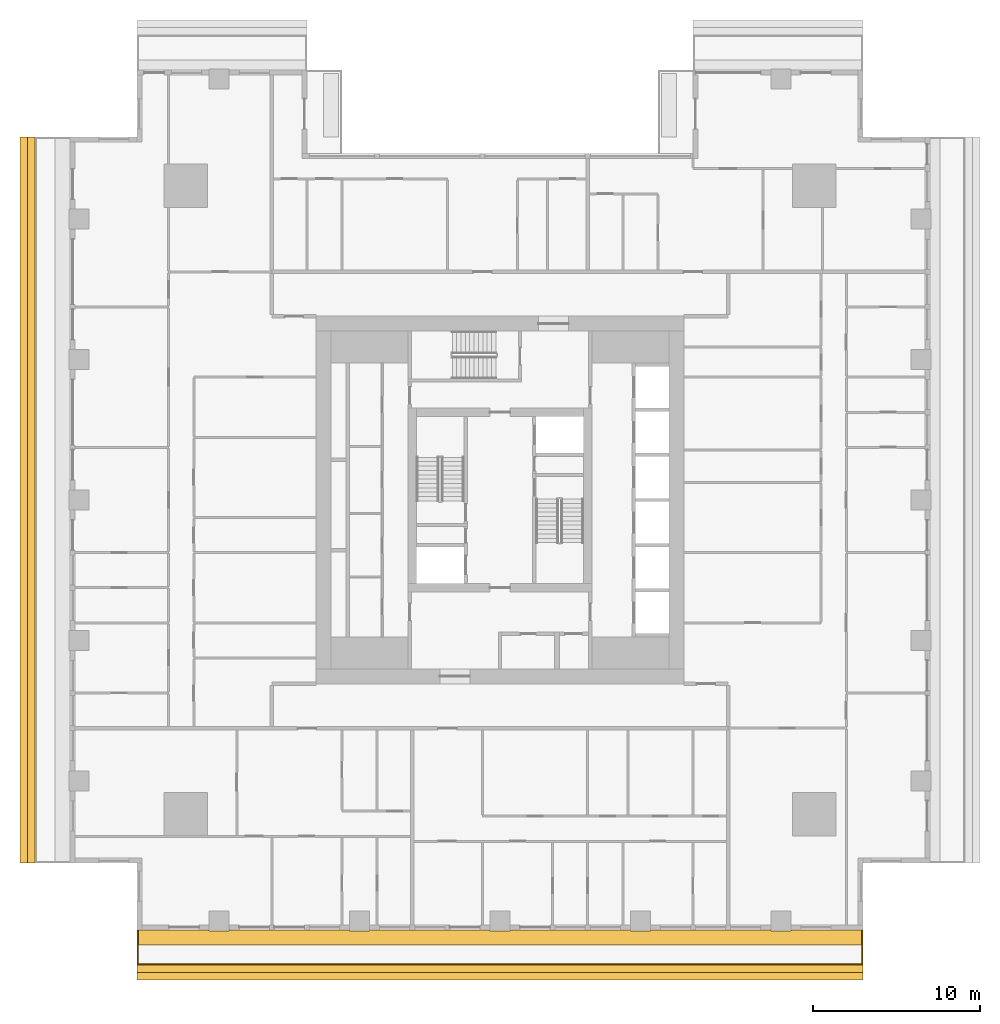
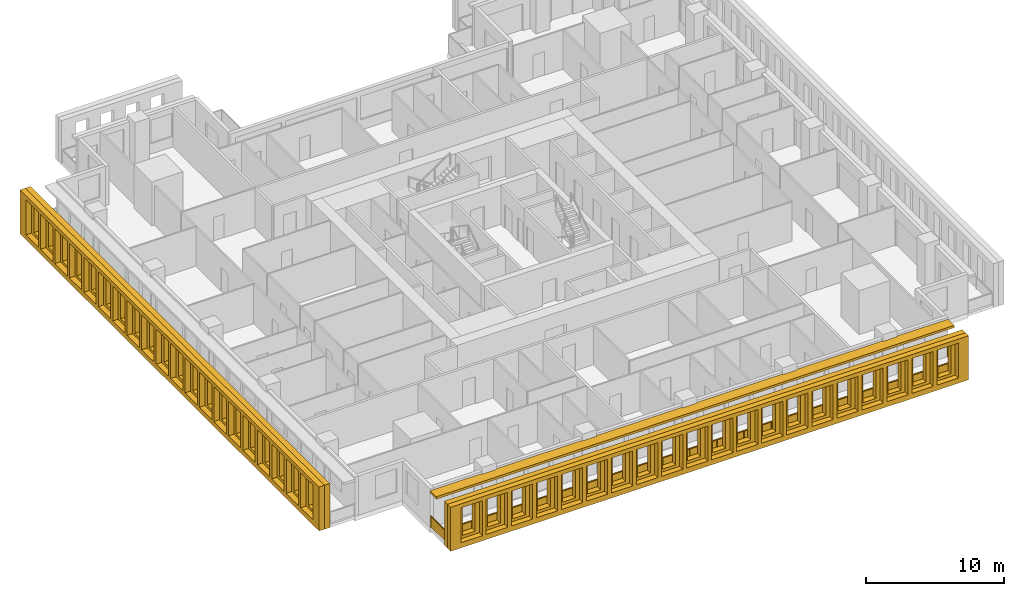
# One storey, part 10 of 15: 5 shading devices, 1 railing.
"""IFC4 building model written with IfcOpenShell, lengths in metres."""

from ifc_helpers import new_model, si_unit, direction, frame, origin, origin_2d, place, context, subcontext, project, spatial, polyline, rectangle, outline, extrude, material, layer, layer_set, type_object, element, save


model = new_model("IFC4")

# Units and contexts
model_context = context("Model", 3, precision=1e-05, world=origin(), true_north=direction((0.0, 1.0)))
body_context = subcontext(model_context, "Body", "Model", "MODEL_VIEW")
ifc_project = project(units=[si_unit("LENGTHUNIT", "METRE"), si_unit("AREAUNIT", "SQUARE_METRE"), si_unit("VOLUMEUNIT", "CUBIC_METRE"), si_unit("PLANEANGLEUNIT", "RADIAN"), si_unit("MASSUNIT", "GRAM", prefix="KILO")], contexts=[model_context])

# Site, building, storey
site_placement = place(None, origin())
site = spatial("IfcSite", under=ifc_project, at=site_placement, CompositionType="ELEMENT")
building_placement = place(site_placement, origin())
building = spatial("IfcBuilding", under=site, at=building_placement, Name="Khepri Terraces", CompositionType="ELEMENT")
storey_placement = place(building_placement, frame((0.0, 0.0, 165.0)))
storey = spatial("IfcBuildingStorey", under=building, at=storey_placement, Name="L39", CompositionType="ELEMENT", Elevation=165.0)

# Railing
ifc_material_1 = material(Name="Stainless steel grade 316", Category="steel")
railing_type = type_object("IfcRailingType", Name="GRD-BAL-1100", PredefinedType="GUARDRAIL", material=ifc_material_1)
railing_placement = place(storey_placement, frame((-21.669921875, -25.719970703125, 0.0)))
element("IfcRailing", 1, at=railing_placement, inside=storey, type_object=railing_type, Name="Balcony guard L39 S", PredefinedType="GUARDRAIL", context=body_context, shape_type="SweptSolid", body=[
    extrude(rectangle(XDim=0.050048828125, YDim=0.06005859375, at=origin_2d()), frame((0.0, 0.0, 1.070068359375), z_axis=(0.0, -1.0, 0.0), x_axis=(1.0, 0.0, 0.0)), (0.0, 0.0, 1.0), 2.050048828125),
    extrude(rectangle(XDim=2.0, YDim=0.011962890625, at=origin_2d()), frame((0.0, -1.02490234375, 0.10009765625), z_axis=(0.0, 0.0, 1.0), x_axis=(0.0, -1.0, 0.0)), (0.0, 0.0, 1.0), 0.93994140625),
    extrude(rectangle(XDim=0.050048828125, YDim=0.06005859375, at=origin_2d()), frame((0.0, -2.050048828125, 1.070068359375), z_axis=(1.0, 0.0, 0.0), x_axis=(0.0, 1.0, 0.0)), (0.0, 0.0, 1.0), 43.33984375),
    extrude(rectangle(XDim=2.23095703125, YDim=0.011962890625, at=origin_2d()), frame((1.140625, -2.050048828125, 0.10009765625), z_axis=(0.0, 0.0, 1.0), x_axis=(1.0, 0.0, 0.0)), (0.0, 0.0, 1.0), 0.93994140625),
    extrude(rectangle(XDim=2.23095703125, YDim=0.011962890625, at=origin_2d()), frame((3.421630859375, -2.050048828125, 0.10009765625), z_axis=(0.0, 0.0, 1.0), x_axis=(1.0, 0.0, 0.0)), (0.0, 0.0, 1.0), 0.93994140625),
    extrude(rectangle(XDim=2.23095703125, YDim=0.011962890625, at=origin_2d()), frame((5.70263671875, -2.050048828125, 0.10009765625), z_axis=(0.0, 0.0, 1.0), x_axis=(1.0, 0.0, 0.0)), (0.0, 0.0, 1.0), 0.93994140625),
    extrude(rectangle(XDim=2.23095703125, YDim=0.011962890625, at=origin_2d()), frame((7.983642578125, -2.050048828125, 0.10009765625), z_axis=(0.0, 0.0, 1.0), x_axis=(1.0, 0.0, 0.0)), (0.0, 0.0, 1.0), 0.93994140625),
    extrude(rectangle(XDim=2.23095703125, YDim=0.011962890625, at=origin_2d()), frame((10.2646484375, -2.050048828125, 0.10009765625), z_axis=(0.0, 0.0, 1.0), x_axis=(1.0, 0.0, 0.0)), (0.0, 0.0, 1.0), 0.93994140625),
    extrude(rectangle(XDim=2.23095703125, YDim=0.011962890625, at=origin_2d()), frame((12.545654296875, -2.050048828125, 0.10009765625), z_axis=(0.0, 0.0, 1.0), x_axis=(1.0, 0.0, 0.0)), (0.0, 0.0, 1.0), 0.93994140625),
    extrude(rectangle(XDim=2.23095703125, YDim=0.011962890625, at=origin_2d()), frame((14.826904296875, -2.050048828125, 0.10009765625), z_axis=(0.0, 0.0, 1.0), x_axis=(1.0, 0.0, 0.0)), (0.0, 0.0, 1.0), 0.93994140625),
    extrude(rectangle(XDim=2.23095703125, YDim=0.011962890625, at=origin_2d()), frame((17.10791015625, -2.050048828125, 0.10009765625), z_axis=(0.0, 0.0, 1.0), x_axis=(1.0, 0.0, 0.0)), (0.0, 0.0, 1.0), 0.93994140625),
    extrude(rectangle(XDim=2.23095703125, YDim=0.011962890625, at=origin_2d()), frame((19.388916015625, -2.050048828125, 0.10009765625), z_axis=(0.0, 0.0, 1.0), x_axis=(1.0, 0.0, 0.0)), (0.0, 0.0, 1.0), 0.93994140625),
    extrude(rectangle(XDim=2.23095703125, YDim=0.011962890625, at=origin_2d()), frame((21.669921875, -2.050048828125, 0.10009765625), z_axis=(0.0, 0.0, 1.0), x_axis=(1.0, 0.0, 0.0)), (0.0, 0.0, 1.0), 0.93994140625),
    extrude(rectangle(XDim=2.23095703125, YDim=0.011962890625, at=origin_2d()), frame((23.950927734375, -2.050048828125, 0.10009765625), z_axis=(0.0, 0.0, 1.0), x_axis=(1.0, 0.0, 0.0)), (0.0, 0.0, 1.0), 0.93994140625),
    extrude(rectangle(XDim=2.23095703125, YDim=0.011962890625, at=origin_2d()), frame((26.23193359375, -2.050048828125, 0.10009765625), z_axis=(0.0, 0.0, 1.0), x_axis=(1.0, 0.0, 0.0)), (0.0, 0.0, 1.0), 0.93994140625),
    extrude(rectangle(XDim=2.23095703125, YDim=0.011962890625, at=origin_2d()), frame((28.512939453125, -2.050048828125, 0.10009765625), z_axis=(0.0, 0.0, 1.0), x_axis=(1.0, 0.0, 0.0)), (0.0, 0.0, 1.0), 0.93994140625),
    extrude(rectangle(XDim=2.23095703125, YDim=0.011962890625, at=origin_2d()), frame((30.794189453125, -2.050048828125, 0.10009765625), z_axis=(0.0, 0.0, 1.0), x_axis=(1.0, 0.0, 0.0)), (0.0, 0.0, 1.0), 0.93994140625),
    extrude(rectangle(XDim=2.23095703125, YDim=0.011962890625, at=origin_2d()), frame((33.0751953125, -2.050048828125, 0.10009765625), z_axis=(0.0, 0.0, 1.0), x_axis=(1.0, 0.0, 0.0)), (0.0, 0.0, 1.0), 0.93994140625),
    extrude(rectangle(XDim=2.23095703125, YDim=0.011962890625, at=origin_2d()), frame((35.356201171875, -2.050048828125, 0.10009765625), z_axis=(0.0, 0.0, 1.0), x_axis=(1.0, 0.0, 0.0)), (0.0, 0.0, 1.0), 0.93994140625),
    extrude(rectangle(XDim=2.23095703125, YDim=0.011962890625, at=origin_2d()), frame((37.63720703125, -2.050048828125, 0.10009765625), z_axis=(0.0, 0.0, 1.0), x_axis=(1.0, 0.0, 0.0)), (0.0, 0.0, 1.0), 0.93994140625),
    extrude(rectangle(XDim=2.23095703125, YDim=0.011962890625, at=origin_2d()), frame((39.918212890625, -2.050048828125, 0.10009765625), z_axis=(0.0, 0.0, 1.0), x_axis=(1.0, 0.0, 0.0)), (0.0, 0.0, 1.0), 0.93994140625),
    extrude(rectangle(XDim=2.23095703125, YDim=0.011962890625, at=origin_2d()), frame((42.19921875, -2.050048828125, 0.10009765625), z_axis=(0.0, 0.0, 1.0), x_axis=(1.0, 0.0, 0.0)), (0.0, 0.0, 1.0), 0.93994140625),
    extrude(rectangle(XDim=0.050048828125, YDim=0.06005859375, at=origin_2d()), frame((43.33984375, -2.050048828125, 1.070068359375), z_axis=(0.0, 1.0, 0.0), x_axis=(-1.0, 0.0, 0.0)), (0.0, 0.0, 1.0), 2.050048828125),
    extrude(rectangle(XDim=2.0, YDim=0.011962890625, at=origin_2d()), frame((43.33984375, -1.02490234375, 0.10009765625), z_axis=(0.0, 0.0, 1.0), x_axis=(0.0, 1.0, 0.0)), (0.0, 0.0, 1.0), 0.93994140625),
    extrude(rectangle(XDim=0.050048828125, YDim=0.050048828125, at=origin_2d()), origin(), (0.0, 0.0, 1.0), 1.0400390625),
    extrude(rectangle(XDim=0.050048828125, YDim=0.050048828125, at=origin_2d()), frame((0.0, -2.050048828125, 0.0)), (0.0, 0.0, 1.0), 1.0400390625),
    extrude(rectangle(XDim=0.050048828125, YDim=0.050048828125, at=origin_2d()), frame((2.281005859375, -2.050048828125, 0.0)), (0.0, 0.0, 1.0), 1.0400390625),
    extrude(rectangle(XDim=0.050048828125, YDim=0.050048828125, at=origin_2d()), frame((4.56201171875, -2.050048828125, 0.0)), (0.0, 0.0, 1.0), 1.0400390625),
    extrude(rectangle(XDim=0.050048828125, YDim=0.050048828125, at=origin_2d()), frame((6.843017578125, -2.050048828125, 0.0)), (0.0, 0.0, 1.0), 1.0400390625),
    extrude(rectangle(XDim=0.050048828125, YDim=0.050048828125, at=origin_2d()), frame((9.124267578125, -2.050048828125, 0.0)), (0.0, 0.0, 1.0), 1.0400390625),
    extrude(rectangle(XDim=0.050048828125, YDim=0.050048828125, at=origin_2d()), frame((11.4052734375, -2.050048828125, 0.0)), (0.0, 0.0, 1.0), 1.0400390625),
    extrude(rectangle(XDim=0.050048828125, YDim=0.050048828125, at=origin_2d()), frame((13.686279296875, -2.050048828125, 0.0)), (0.0, 0.0, 1.0), 1.0400390625),
    extrude(rectangle(XDim=0.050048828125, YDim=0.050048828125, at=origin_2d()), frame((15.96728515625, -2.050048828125, 0.0)), (0.0, 0.0, 1.0), 1.0400390625),
    extrude(rectangle(XDim=0.050048828125, YDim=0.050048828125, at=origin_2d()), frame((18.248291015625, -2.050048828125, 0.0)), (0.0, 0.0, 1.0), 1.0400390625),
    extrude(rectangle(XDim=0.050048828125, YDim=0.050048828125, at=origin_2d()), frame((20.529296875, -2.050048828125, 0.0)), (0.0, 0.0, 1.0), 1.0400390625),
    extrude(rectangle(XDim=0.050048828125, YDim=0.050048828125, at=origin_2d()), frame((22.810546875, -2.050048828125, 0.0)), (0.0, 0.0, 1.0), 1.0400390625),
    extrude(rectangle(XDim=0.050048828125, YDim=0.050048828125, at=origin_2d()), frame((25.091552734375, -2.050048828125, 0.0)), (0.0, 0.0, 1.0), 1.0400390625),
    extrude(rectangle(XDim=0.050048828125, YDim=0.050048828125, at=origin_2d()), frame((27.37255859375, -2.050048828125, 0.0)), (0.0, 0.0, 1.0), 1.0400390625),
    extrude(rectangle(XDim=0.050048828125, YDim=0.050048828125, at=origin_2d()), frame((29.653564453125, -2.050048828125, 0.0)), (0.0, 0.0, 1.0), 1.0400390625),
    extrude(rectangle(XDim=0.050048828125, YDim=0.050048828125, at=origin_2d()), frame((31.9345703125, -2.050048828125, 0.0)), (0.0, 0.0, 1.0), 1.0400390625),
    extrude(rectangle(XDim=0.050048828125, YDim=0.050048828125, at=origin_2d()), frame((34.215576171875, -2.050048828125, 0.0)), (0.0, 0.0, 1.0), 1.0400390625),
    extrude(rectangle(XDim=0.050048828125, YDim=0.050048828125, at=origin_2d()), frame((36.496826171875, -2.050048828125, 0.0)), (0.0, 0.0, 1.0), 1.0400390625),
    extrude(rectangle(XDim=0.050048828125, YDim=0.050048828125, at=origin_2d()), frame((38.77783203125, -2.050048828125, 0.0)), (0.0, 0.0, 1.0), 1.0400390625),
    extrude(rectangle(XDim=0.050048828125, YDim=0.050048828125, at=origin_2d()), frame((41.058837890625, -2.050048828125, 0.0)), (0.0, 0.0, 1.0), 1.0400390625),
    extrude(rectangle(XDim=0.050048828125, YDim=0.050048828125, at=origin_2d()), frame((43.33984375, -2.050048828125, 0.0)), (0.0, 0.0, 1.0), 1.0400390625),
    extrude(rectangle(XDim=0.050048828125, YDim=0.050048828125, at=origin_2d()), frame((43.33984375, 0.0, 0.0)), (0.0, 0.0, 1.0), 1.0400390625),
])

# Shading devices
ifc_material_2 = material(Name="Precast concrete C50/60 warm stone", Category="masonry")
shading_device_type_1 = type_object("IfcShadingDeviceType", Name="SCR-CELL-INNER-450", PredefinedType="USERDEFINED", material=ifc_material_2)
shading_device_1_placement = place(storey_placement, frame((-21.719970703125, -27.820068359375, -0.25), z_axis=(0.0, -1.0, 0.0), x_axis=(1.0, 0.0, 0.0)))
element("IfcShadingDevice", 2, at=shading_device_1_placement, inside=storey, type_object=shading_device_type_1, Name="Cell screen L39 S in", ObjectType="SCREEN", PredefinedType="USERDEFINED", context=body_context, shape_type="SweptSolid", body=[
    extrude(outline(polyline([(0.0, 0.0), (43.43994140625, 0.0), (43.43994140625, 3.89990234375), (0.0, 3.89990234375), (0.0, 0.0)]), holes=[polyline([(1.2265625, 0.699951171875), (2.3134765625, 0.699951171875), (2.3134765625, 3.300048828125), (1.2265625, 3.300048828125), (1.2265625, 0.699951171875)]), polyline([(3.32666015625, 0.699951171875), (4.413330078125, 0.699951171875), (4.413330078125, 3.300048828125), (3.32666015625, 3.300048828125), (3.32666015625, 0.699951171875)]), polyline([(5.426513671875, 0.699951171875), (6.513427734375, 0.699951171875), (6.513427734375, 3.300048828125), (5.426513671875, 3.300048828125), (5.426513671875, 0.699951171875)]), polyline([(7.526611328125, 0.699951171875), (8.61328125, 0.699951171875), (8.61328125, 3.300048828125), (7.526611328125, 3.300048828125), (7.526611328125, 0.699951171875)]), polyline([(9.626708984375, 0.699951171875), (10.71337890625, 0.699951171875), (10.71337890625, 3.300048828125), (9.626708984375, 3.300048828125), (9.626708984375, 0.699951171875)]), polyline([(11.7265625, 0.699951171875), (12.8134765625, 0.699951171875), (12.8134765625, 3.300048828125), (11.7265625, 3.300048828125), (11.7265625, 0.699951171875)]), polyline([(13.82666015625, 0.699951171875), (14.913330078125, 0.699951171875), (14.913330078125, 3.300048828125), (13.82666015625, 3.300048828125), (13.82666015625, 0.699951171875)]), polyline([(15.926513671875, 0.699951171875), (17.013427734375, 0.699951171875), (17.013427734375, 3.300048828125), (15.926513671875, 3.300048828125), (15.926513671875, 0.699951171875)]), polyline([(18.026611328125, 0.699951171875), (19.11328125, 0.699951171875), (19.11328125, 3.300048828125), (18.026611328125, 3.300048828125), (18.026611328125, 0.699951171875)]), polyline([(20.126708984375, 0.699951171875), (21.21337890625, 0.699951171875), (21.21337890625, 3.300048828125), (20.126708984375, 3.300048828125), (20.126708984375, 0.699951171875)]), polyline([(22.2265625, 0.699951171875), (23.3134765625, 0.699951171875), (23.3134765625, 3.300048828125), (22.2265625, 3.300048828125), (22.2265625, 0.699951171875)]), polyline([(24.32666015625, 0.699951171875), (25.413330078125, 0.699951171875), (25.413330078125, 3.300048828125), (24.32666015625, 3.300048828125), (24.32666015625, 0.699951171875)]), polyline([(26.426513671875, 0.699951171875), (27.513427734375, 0.699951171875), (27.513427734375, 3.300048828125), (26.426513671875, 3.300048828125), (26.426513671875, 0.699951171875)]), polyline([(28.526611328125, 0.699951171875), (29.61328125, 0.699951171875), (29.61328125, 3.300048828125), (28.526611328125, 3.300048828125), (28.526611328125, 0.699951171875)]), polyline([(30.626708984375, 0.699951171875), (31.71337890625, 0.699951171875), (31.71337890625, 3.300048828125), (30.626708984375, 3.300048828125), (30.626708984375, 0.699951171875)]), polyline([(32.7265625, 0.699951171875), (33.8134765625, 0.699951171875), (33.8134765625, 3.300048828125), (32.7265625, 3.300048828125), (32.7265625, 0.699951171875)]), polyline([(34.82666015625, 0.699951171875), (35.913330078125, 0.699951171875), (35.913330078125, 3.300048828125), (34.82666015625, 3.300048828125), (34.82666015625, 0.699951171875)]), polyline([(36.926513671875, 0.699951171875), (38.013427734375, 0.699951171875), (38.013427734375, 3.300048828125), (36.926513671875, 3.300048828125), (36.926513671875, 0.699951171875)]), polyline([(39.026611328125, 0.699951171875), (40.11328125, 0.699951171875), (40.11328125, 3.300048828125), (39.026611328125, 3.300048828125), (39.026611328125, 0.699951171875)]), polyline([(41.126708984375, 0.699951171875), (42.21337890625, 0.699951171875), (42.21337890625, 3.300048828125), (41.126708984375, 3.300048828125), (41.126708984375, 0.699951171875)])]), origin(), (0.0, 0.0, 1.0), 0.449951171875),
])
shading_device_2_placement = place(storey_placement, frame((-27.820068359375, 21.719970703125, -0.25), z_axis=(-1.0, 0.0, 0.0), x_axis=(0.0, -1.0, 0.0)))
element("IfcShadingDevice", 3, at=shading_device_2_placement, inside=storey, type_object=shading_device_type_1, Name="Cell screen L39 W in", ObjectType="SCREEN", PredefinedType="USERDEFINED", context=body_context, shape_type="SweptSolid", body=[
    extrude(outline(polyline([(0.0, 0.0), (43.43994140625, 0.0), (43.43994140625, 3.89990234375), (0.0, 3.89990234375), (0.0, 0.0)]), holes=[polyline([(1.2265625, 0.699951171875), (2.3134765625, 0.699951171875), (2.3134765625, 3.300048828125), (1.2265625, 3.300048828125), (1.2265625, 0.699951171875)]), polyline([(3.32666015625, 0.699951171875), (4.413330078125, 0.699951171875), (4.413330078125, 3.300048828125), (3.32666015625, 3.300048828125), (3.32666015625, 0.699951171875)]), polyline([(5.426513671875, 0.699951171875), (6.513427734375, 0.699951171875), (6.513427734375, 3.300048828125), (5.426513671875, 3.300048828125), (5.426513671875, 0.699951171875)]), polyline([(7.526611328125, 0.699951171875), (8.61328125, 0.699951171875), (8.61328125, 3.300048828125), (7.526611328125, 3.300048828125), (7.526611328125, 0.699951171875)]), polyline([(9.626708984375, 0.699951171875), (10.71337890625, 0.699951171875), (10.71337890625, 3.300048828125), (9.626708984375, 3.300048828125), (9.626708984375, 0.699951171875)]), polyline([(11.7265625, 0.699951171875), (12.8134765625, 0.699951171875), (12.8134765625, 3.300048828125), (11.7265625, 3.300048828125), (11.7265625, 0.699951171875)]), polyline([(13.82666015625, 0.699951171875), (14.913330078125, 0.699951171875), (14.913330078125, 3.300048828125), (13.82666015625, 3.300048828125), (13.82666015625, 0.699951171875)]), polyline([(15.926513671875, 0.699951171875), (17.013427734375, 0.699951171875), (17.013427734375, 3.300048828125), (15.926513671875, 3.300048828125), (15.926513671875, 0.699951171875)]), polyline([(18.026611328125, 0.699951171875), (19.11328125, 0.699951171875), (19.11328125, 3.300048828125), (18.026611328125, 3.300048828125), (18.026611328125, 0.699951171875)]), polyline([(20.126708984375, 0.699951171875), (21.21337890625, 0.699951171875), (21.21337890625, 3.300048828125), (20.126708984375, 3.300048828125), (20.126708984375, 0.699951171875)]), polyline([(22.2265625, 0.699951171875), (23.3134765625, 0.699951171875), (23.3134765625, 3.300048828125), (22.2265625, 3.300048828125), (22.2265625, 0.699951171875)]), polyline([(24.32666015625, 0.699951171875), (25.413330078125, 0.699951171875), (25.413330078125, 3.300048828125), (24.32666015625, 3.300048828125), (24.32666015625, 0.699951171875)]), polyline([(26.426513671875, 0.699951171875), (27.513427734375, 0.699951171875), (27.513427734375, 3.300048828125), (26.426513671875, 3.300048828125), (26.426513671875, 0.699951171875)]), polyline([(28.526611328125, 0.699951171875), (29.61328125, 0.699951171875), (29.61328125, 3.300048828125), (28.526611328125, 3.300048828125), (28.526611328125, 0.699951171875)]), polyline([(30.626708984375, 0.699951171875), (31.71337890625, 0.699951171875), (31.71337890625, 3.300048828125), (30.626708984375, 3.300048828125), (30.626708984375, 0.699951171875)]), polyline([(32.7265625, 0.699951171875), (33.8134765625, 0.699951171875), (33.8134765625, 3.300048828125), (32.7265625, 3.300048828125), (32.7265625, 0.699951171875)]), polyline([(34.82666015625, 0.699951171875), (35.913330078125, 0.699951171875), (35.913330078125, 3.300048828125), (34.82666015625, 3.300048828125), (34.82666015625, 0.699951171875)]), polyline([(36.926513671875, 0.699951171875), (38.013427734375, 0.699951171875), (38.013427734375, 3.300048828125), (36.926513671875, 3.300048828125), (36.926513671875, 0.699951171875)]), polyline([(39.026611328125, 0.699951171875), (40.11328125, 0.699951171875), (40.11328125, 3.300048828125), (39.026611328125, 3.300048828125), (39.026611328125, 0.699951171875)]), polyline([(41.126708984375, 0.699951171875), (42.21337890625, 0.699951171875), (42.21337890625, 3.300048828125), (41.126708984375, 3.300048828125), (41.126708984375, 0.699951171875)])]), origin(), (0.0, 0.0, 1.0), 0.449951171875),
])
shading_device_type_2 = type_object("IfcShadingDeviceType", Name="SCR-CELL-OUTER-450", PredefinedType="USERDEFINED", material=ifc_material_2)
shading_device_3_placement = place(storey_placement, frame((-21.719970703125, -28.27001953125, -0.25), z_axis=(0.0, -1.0, 0.0), x_axis=(1.0, 0.0, 0.0)))
element("IfcShadingDevice", 4, at=shading_device_3_placement, inside=storey, type_object=shading_device_type_2, Name="Cell screen L39 S out", ObjectType="SCREEN", PredefinedType="USERDEFINED", context=body_context, shape_type="SweptSolid", body=[
    extrude(outline(polyline([(0.0, 0.0), (43.43994140625, 0.0), (43.43994140625, 3.89990234375), (0.0, 3.89990234375), (0.0, 0.0)]), holes=[polyline([(0.876708984375, 0.449951171875), (2.663330078125, 0.449951171875), (2.663330078125, 3.550048828125), (0.876708984375, 3.550048828125), (0.876708984375, 0.449951171875)]), polyline([(2.9765625, 0.449951171875), (4.763427734375, 0.449951171875), (4.763427734375, 3.550048828125), (2.9765625, 3.550048828125), (2.9765625, 0.449951171875)]), polyline([(5.07666015625, 0.449951171875), (6.86328125, 0.449951171875), (6.86328125, 3.550048828125), (5.07666015625, 3.550048828125), (5.07666015625, 0.449951171875)]), polyline([(7.176513671875, 0.449951171875), (8.96337890625, 0.449951171875), (8.96337890625, 3.550048828125), (7.176513671875, 3.550048828125), (7.176513671875, 0.449951171875)]), polyline([(9.276611328125, 0.449951171875), (11.0634765625, 0.449951171875), (11.0634765625, 3.550048828125), (9.276611328125, 3.550048828125), (9.276611328125, 0.449951171875)]), polyline([(11.376708984375, 0.449951171875), (13.163330078125, 0.449951171875), (13.163330078125, 3.550048828125), (11.376708984375, 3.550048828125), (11.376708984375, 0.449951171875)]), polyline([(13.4765625, 0.449951171875), (15.263427734375, 0.449951171875), (15.263427734375, 3.550048828125), (13.4765625, 3.550048828125), (13.4765625, 0.449951171875)]), polyline([(15.57666015625, 0.449951171875), (17.36328125, 0.449951171875), (17.36328125, 3.550048828125), (15.57666015625, 3.550048828125), (15.57666015625, 0.449951171875)]), polyline([(17.676513671875, 0.449951171875), (19.46337890625, 0.449951171875), (19.46337890625, 3.550048828125), (17.676513671875, 3.550048828125), (17.676513671875, 0.449951171875)]), polyline([(19.776611328125, 0.449951171875), (21.5634765625, 0.449951171875), (21.5634765625, 3.550048828125), (19.776611328125, 3.550048828125), (19.776611328125, 0.449951171875)]), polyline([(21.876708984375, 0.449951171875), (23.663330078125, 0.449951171875), (23.663330078125, 3.550048828125), (21.876708984375, 3.550048828125), (21.876708984375, 0.449951171875)]), polyline([(23.9765625, 0.449951171875), (25.763427734375, 0.449951171875), (25.763427734375, 3.550048828125), (23.9765625, 3.550048828125), (23.9765625, 0.449951171875)]), polyline([(26.07666015625, 0.449951171875), (27.86328125, 0.449951171875), (27.86328125, 3.550048828125), (26.07666015625, 3.550048828125), (26.07666015625, 0.449951171875)]), polyline([(28.176513671875, 0.449951171875), (29.96337890625, 0.449951171875), (29.96337890625, 3.550048828125), (28.176513671875, 3.550048828125), (28.176513671875, 0.449951171875)]), polyline([(30.276611328125, 0.449951171875), (32.0634765625, 0.449951171875), (32.0634765625, 3.550048828125), (30.276611328125, 3.550048828125), (30.276611328125, 0.449951171875)]), polyline([(32.376708984375, 0.449951171875), (34.163330078125, 0.449951171875), (34.163330078125, 3.550048828125), (32.376708984375, 3.550048828125), (32.376708984375, 0.449951171875)]), polyline([(34.4765625, 0.449951171875), (36.263427734375, 0.449951171875), (36.263427734375, 3.550048828125), (34.4765625, 3.550048828125), (34.4765625, 0.449951171875)]), polyline([(36.57666015625, 0.449951171875), (38.36328125, 0.449951171875), (38.36328125, 3.550048828125), (36.57666015625, 3.550048828125), (36.57666015625, 0.449951171875)]), polyline([(38.676513671875, 0.449951171875), (40.46337890625, 0.449951171875), (40.46337890625, 3.550048828125), (38.676513671875, 3.550048828125), (38.676513671875, 0.449951171875)]), polyline([(40.776611328125, 0.449951171875), (42.5634765625, 0.449951171875), (42.5634765625, 3.550048828125), (40.776611328125, 3.550048828125), (40.776611328125, 0.449951171875)])]), origin(), (0.0, 0.0, 1.0), 0.449951171875),
])
shading_device_4_placement = place(storey_placement, frame((-28.27001953125, 21.719970703125, -0.25), z_axis=(-1.0, 0.0, 0.0), x_axis=(0.0, -1.0, 0.0)))
element("IfcShadingDevice", 5, at=shading_device_4_placement, inside=storey, type_object=shading_device_type_2, Name="Cell screen L39 W out", ObjectType="SCREEN", PredefinedType="USERDEFINED", context=body_context, shape_type="SweptSolid", body=[
    extrude(outline(polyline([(0.0, 0.0), (43.43994140625, 0.0), (43.43994140625, 3.89990234375), (0.0, 3.89990234375), (0.0, 0.0)]), holes=[polyline([(0.876708984375, 0.449951171875), (2.663330078125, 0.449951171875), (2.663330078125, 3.550048828125), (0.876708984375, 3.550048828125), (0.876708984375, 0.449951171875)]), polyline([(2.9765625, 0.449951171875), (4.763427734375, 0.449951171875), (4.763427734375, 3.550048828125), (2.9765625, 3.550048828125), (2.9765625, 0.449951171875)]), polyline([(5.07666015625, 0.449951171875), (6.86328125, 0.449951171875), (6.86328125, 3.550048828125), (5.07666015625, 3.550048828125), (5.07666015625, 0.449951171875)]), polyline([(7.176513671875, 0.449951171875), (8.96337890625, 0.449951171875), (8.96337890625, 3.550048828125), (7.176513671875, 3.550048828125), (7.176513671875, 0.449951171875)]), polyline([(9.276611328125, 0.449951171875), (11.0634765625, 0.449951171875), (11.0634765625, 3.550048828125), (9.276611328125, 3.550048828125), (9.276611328125, 0.449951171875)]), polyline([(11.376708984375, 0.449951171875), (13.163330078125, 0.449951171875), (13.163330078125, 3.550048828125), (11.376708984375, 3.550048828125), (11.376708984375, 0.449951171875)]), polyline([(13.4765625, 0.449951171875), (15.263427734375, 0.449951171875), (15.263427734375, 3.550048828125), (13.4765625, 3.550048828125), (13.4765625, 0.449951171875)]), polyline([(15.57666015625, 0.449951171875), (17.36328125, 0.449951171875), (17.36328125, 3.550048828125), (15.57666015625, 3.550048828125), (15.57666015625, 0.449951171875)]), polyline([(17.676513671875, 0.449951171875), (19.46337890625, 0.449951171875), (19.46337890625, 3.550048828125), (17.676513671875, 3.550048828125), (17.676513671875, 0.449951171875)]), polyline([(19.776611328125, 0.449951171875), (21.5634765625, 0.449951171875), (21.5634765625, 3.550048828125), (19.776611328125, 3.550048828125), (19.776611328125, 0.449951171875)]), polyline([(21.876708984375, 0.449951171875), (23.663330078125, 0.449951171875), (23.663330078125, 3.550048828125), (21.876708984375, 3.550048828125), (21.876708984375, 0.449951171875)]), polyline([(23.9765625, 0.449951171875), (25.763427734375, 0.449951171875), (25.763427734375, 3.550048828125), (23.9765625, 3.550048828125), (23.9765625, 0.449951171875)]), polyline([(26.07666015625, 0.449951171875), (27.86328125, 0.449951171875), (27.86328125, 3.550048828125), (26.07666015625, 3.550048828125), (26.07666015625, 0.449951171875)]), polyline([(28.176513671875, 0.449951171875), (29.96337890625, 0.449951171875), (29.96337890625, 3.550048828125), (28.176513671875, 3.550048828125), (28.176513671875, 0.449951171875)]), polyline([(30.276611328125, 0.449951171875), (32.0634765625, 0.449951171875), (32.0634765625, 3.550048828125), (30.276611328125, 3.550048828125), (30.276611328125, 0.449951171875)]), polyline([(32.376708984375, 0.449951171875), (34.163330078125, 0.449951171875), (34.163330078125, 3.550048828125), (32.376708984375, 3.550048828125), (32.376708984375, 0.449951171875)]), polyline([(34.4765625, 0.449951171875), (36.263427734375, 0.449951171875), (36.263427734375, 3.550048828125), (34.4765625, 3.550048828125), (34.4765625, 0.449951171875)]), polyline([(36.57666015625, 0.449951171875), (38.36328125, 0.449951171875), (38.36328125, 3.550048828125), (36.57666015625, 3.550048828125), (36.57666015625, 0.449951171875)]), polyline([(38.676513671875, 0.449951171875), (40.46337890625, 0.449951171875), (40.46337890625, 3.550048828125), (38.676513671875, 3.550048828125), (38.676513671875, 0.449951171875)]), polyline([(40.776611328125, 0.449951171875), (42.5634765625, 0.449951171875), (42.5634765625, 3.550048828125), (40.776611328125, 3.550048828125), (40.776611328125, 0.449951171875)])]), origin(), (0.0, 0.0, 1.0), 0.449951171875),
])
ifc_layer = layer(ifc_material_2, 0.199951171875, Name="Precast concrete C50/60 warm stone", Category="masonry")
ifc_layer_set = layer_set([ifc_layer], Name="Precast concrete C50/60 warm stone")
shading_device_type_3 = type_object("IfcShadingDeviceType", Name="SSH-BAND-STONE-200", PredefinedType="USERDEFINED", material=ifc_layer_set)
shading_device_5_placement = place(storey_placement, frame((0.0, 0.0, 3.10009765625)))
element("IfcShadingDevice", 6, at=shading_device_5_placement, inside=storey, type_object=shading_device_type_3, Name="Sunshade band L39 S", ObjectType="SUNSHADE", PredefinedType="USERDEFINED", context=body_context, shape_type="SweptSolid", body=[
    extrude(outline(polyline([(-17.39990234375, -25.719970703125), (-21.719970703125, -25.719970703125), (-21.719970703125, -26.6201171875), (21.719970703125, -26.6201171875), (21.719970703125, -25.719970703125), (17.39990234375, -25.719970703125), (17.39990234375, -25.800048828125), (16.199951171875, -25.800048828125), (16.199951171875, -25.719970703125), (9.0, -25.719970703125), (9.0, -25.800048828125), (7.800048828125, -25.800048828125), (7.800048828125, -25.719970703125), (0.60009765625, -25.719970703125), (0.60009765625, -25.800048828125), (-0.60009765625, -25.800048828125), (-0.60009765625, -25.719970703125), (-7.800048828125, -25.719970703125), (-7.800048828125, -25.800048828125), (-9.0, -25.800048828125), (-9.0, -25.719970703125), (-16.199951171875, -25.719970703125), (-16.199951171875, -25.800048828125), (-17.39990234375, -25.800048828125), (-17.39990234375, -25.719970703125)])), origin(), (0.0, 0.0, 1.0), 0.199951171875),
])

save(model, "model.ifc")
